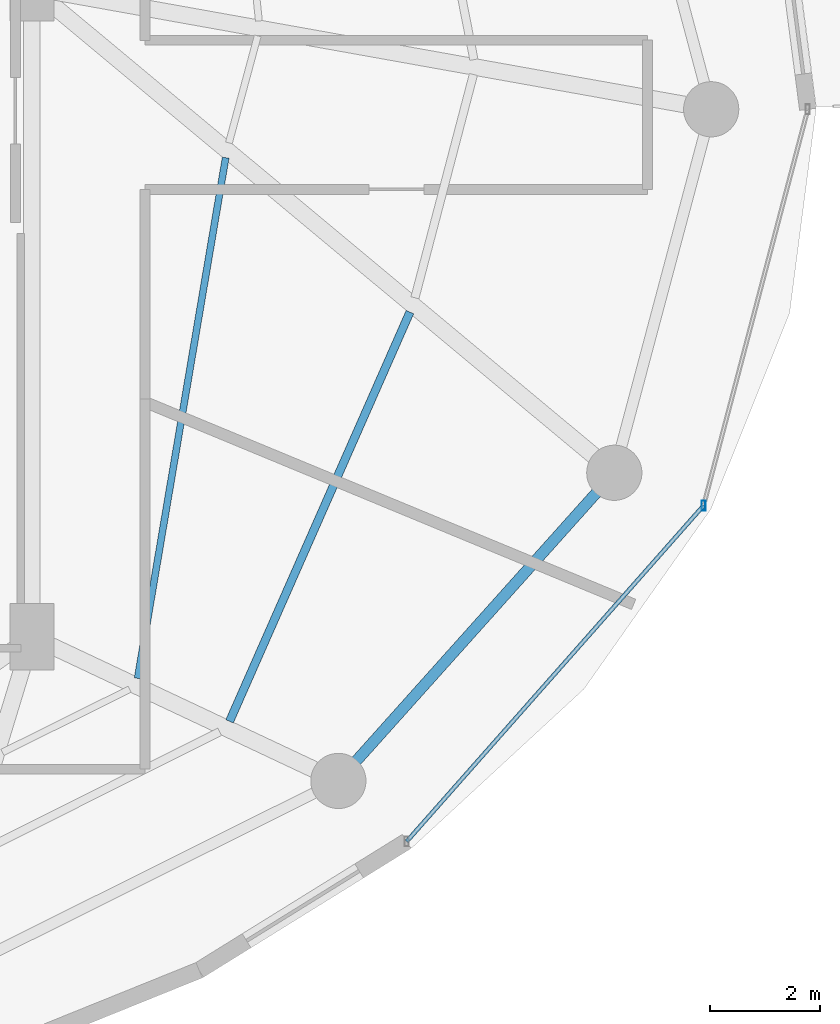
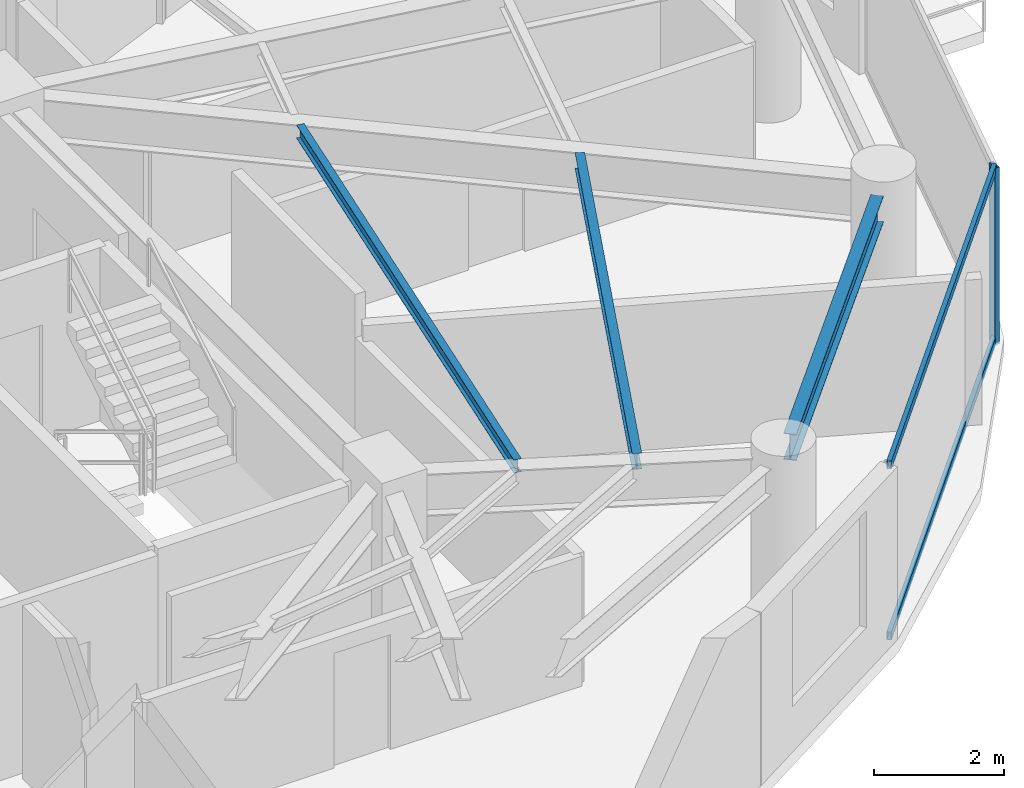
# One storey, part 11 of 28: 3 beams, 3 members, 1 element without a shape of its own.
"""IFC4 building model written with IfcOpenShell, lengths in metres."""

import ifcopenshell
import ifcopenshell.guid

model = None  # the IFC model being written
_history = None  # IfcOwnerHistory: only IFC2X3 demands one
_inside = {}  # id of a spatial element -> (the spatial element, [elements in it])
_under = {}  # id of a project, library or spatial element -> (it, [spatial elements below it])
_declared = {}  # id of a project -> (the project, [libraries it declares])
_typed = {}  # id of a type object -> (the type object, [elements of that type])
_made_of = {}  # id of a material, layer set ... -> (it, [elements and type objects made of it])


def new_model(schema):
    """Start an empty IFC model of exactly this schema.

    Asked for "IFC4X3", IfcOpenShell would pick the latest addendum, in which some entities
    have other attributes; the version numbers below select the first issue.
    IFC2X3 requires an IfcOwnerHistory on every rooted entity: one is made here for all.
    """
    global model, _history
    if schema == "IFC4X3":
        model = ifcopenshell.file(schema_version=(4, 3, 0, 0))
    else:
        model = ifcopenshell.file(schema=schema)
    _inside.clear()
    _under.clear()
    _declared.clear()
    _typed.clear()
    _made_of.clear()
    _history = None
    if model.schema == "IFC2X3":
        org = make("IfcOrganization", Name="unknown")
        user = make(
            "IfcPersonAndOrganization",
            ThePerson=make("IfcPerson", FamilyName="unknown"),
            TheOrganization=org,
        )
        app = make(
            "IfcApplication",
            ApplicationDeveloper=org,
            Version="unknown",
            ApplicationFullName="unknown",
            ApplicationIdentifier="unknown",
        )
        _history = make(
            "IfcOwnerHistory",
            OwningUser=user,
            OwningApplication=app,
            ChangeAction="ADDED",
            CreationDate=0,
        )
    return model


def make(cls, **values):
    """One entity of the class cls with the attributes given. An attribute that is None is left unset."""
    return model.create_entity(
        cls, **{name: value for name, value in values.items() if value is not None}
    )


def rooted(cls, **values):
    """An entity with a GlobalId (a new one), such as an element, a storey or a relation."""
    return make(cls, GlobalId=ifcopenshell.guid.new(), OwnerHistory=_history, **values)


def si_unit(unit_type, name, prefix=None):
    """IfcSIUnit, for example si_unit("LENGTHUNIT", "METRE", prefix="MILLI")."""
    return make("IfcSIUnit", UnitType=unit_type, Prefix=prefix, Name=name)


def assignment(units):
    """IfcUnitAssignment: the units of a project."""
    return None if units is None else make("IfcUnitAssignment", Units=units)


def point(xyz):
    """IfcCartesianPoint."""
    return None if xyz is None else make("IfcCartesianPoint", Coordinates=xyz)


def direction(xyz):
    """IfcDirection."""
    return None if xyz is None else make("IfcDirection", DirectionRatios=xyz)


def frame(location, z_axis=None, x_axis=None):
    """IfcAxis2Placement3D, a coordinate frame: its origin and axes. An axis left out is left unset."""
    return make(
        "IfcAxis2Placement3D",
        Location=point(location),
        Axis=direction(z_axis),
        RefDirection=direction(x_axis),
    )


def frame_2d(location, x_axis=None):
    """IfcAxis2Placement2D, a coordinate frame in the plane: its origin and x axis."""
    return make(
        "IfcAxis2Placement2D", Location=point(location), RefDirection=direction(x_axis)
    )


def origin():
    """The frame at (0, 0, 0) with its axes left unset."""
    return frame((0.0, 0.0, 0.0))


def origin_2d():
    """The frame at (0, 0) in the plane with its x axis left unset."""
    return frame_2d((0.0, 0.0))


def place(relative_to, where):
    """IfcLocalPlacement: puts the frame where relative to a parent placement (None: the world)."""
    return make(
        "IfcLocalPlacement", PlacementRelTo=relative_to, RelativePlacement=where
    )


def context(
    kind, dimensions, precision=None, world=None, true_north=None, identifier=None
):
    """IfcGeometricRepresentationContext, for example the 3D "Model" context."""
    return make(
        "IfcGeometricRepresentationContext",
        ContextIdentifier=identifier,
        ContextType=kind,
        CoordinateSpaceDimension=dimensions,
        Precision=precision,
        WorldCoordinateSystem=world,
        TrueNorth=true_north,
    )


def subcontext(parent, identifier, kind, view, scale=None):
    """IfcGeometricRepresentationSubContext, for example "Body" below "Model"."""
    return make(
        "IfcGeometricRepresentationSubContext",
        ContextIdentifier=identifier,
        ContextType=kind,
        ParentContext=parent,
        TargetScale=scale,
        TargetView=view,
    )


def project(units=None, contexts=None):
    """IfcProject with its units and contexts."""
    return rooted(
        "IfcProject",
        Name="project",
        RepresentationContexts=contexts,
        UnitsInContext=assignment(units),
    )


def spatial(cls, under=None, at=None, **own):
    """A site, building, storey or space (cls), placed at a placement, below another one or the project."""
    s = rooted(cls, ObjectPlacement=at, **own)
    if under is not None:
        _under.setdefault(under.id(), (under, []))[1].append(s)
    return s


def profile(cls, at=None, kind="AREA", **sizes):
    """A parametric profile (cls). Its sizes go by their IFC names, for example OverallWidth=200.0."""
    return make(cls, ProfileType=kind, Position=at, **sizes)


def hollow_rectangle(**sizes):
    """IfcRectangleHollowProfileDef."""
    return profile("IfcRectangleHollowProfileDef", **sizes)


def i_section(**sizes):
    """IfcIShapeProfileDef."""
    return profile("IfcIShapeProfileDef", **sizes)


def extrude(swept, where, along, depth):
    """IfcExtrudedAreaSolid: the profile swept, set in the frame where, extruded along a direction by depth."""
    return make(
        "IfcExtrudedAreaSolid",
        SweptArea=swept,
        Position=where,
        ExtrudedDirection=direction(along),
        Depth=depth,
    )


def shape(context_of_items, identifier, shape_type, items):
    """IfcShapeRepresentation: the items that make up one representation, for example the "Body"."""
    return make(
        "IfcShapeRepresentation",
        ContextOfItems=context_of_items,
        RepresentationIdentifier=identifier,
        RepresentationType=shape_type,
        Items=items,
    )


def material(Name=None, Category=None):
    """IfcMaterial."""
    return make("IfcMaterial", Name=Name, Category=Category)


def material_profile(
    of_material, cross_section, Name=None, Category=None, Priority=None
):
    """IfcMaterialProfile: a cross section and its material."""
    return make(
        "IfcMaterialProfile",
        Name=Name,
        Material=of_material,
        Profile=cross_section,
        Priority=Priority,
        Category=Category,
    )


def profile_set(profiles, Name=None, composite=None):
    """IfcMaterialProfileSet."""
    return make(
        "IfcMaterialProfileSet",
        Name=Name,
        MaterialProfiles=profiles,
        CompositeProfile=composite,
    )


def made_of(thing, what):
    """Note that an element or type object is made of a material, layer set ...; save() writes the relation."""
    if what is not None:
        _made_of.setdefault(what.id(), (what, []))[1].append(thing)
    return thing


def type_object(cls, material=None, **own):
    """A type object (cls), such as IfcWallType, which elements share."""
    return made_of(rooted(cls, **own), material)


def element(
    cls,
    number,
    at=None,
    inside=None,
    cuts=None,
    type_object=None,
    material=None,
    context=None,
    identifier="Body",
    shape_type=None,
    held_by="IfcProductDefinitionShape",
    body=None,
    shapes=None,
    **own,
):
    """One element of the class cls, such as IfcWall. Its Tag is "e" and its number.

    at: its placement. inside: the storey or other place that contains it. cuts: it is an
    opening in that element (IfcRelVoidsElement). A single representation is given by context,
    identifier, shape_type and body (its items); several are given by shapes. held_by: the class
    of the entity that holds the representations. save() writes the other relations.
    """
    e = rooted(cls, Tag="e%d" % number, ObjectPlacement=at, **own)
    if body is not None:
        shapes = [shape(context, identifier, shape_type, body)]
    if shapes is not None:
        e.Representation = make(held_by, Representations=shapes)
    if inside is not None:
        _inside.setdefault(inside.id(), (inside, []))[1].append(e)
    if cuts is not None:
        rooted(
            "IfcRelVoidsElement", RelatingBuildingElement=cuts, RelatedOpeningElement=e
        )
    if type_object is not None:
        _typed.setdefault(type_object.id(), (type_object, []))[1].append(e)
    return made_of(e, material)


def aggregate(whole, parts):
    """IfcRelAggregates: a whole, such as a stair, and the parts it consists of."""
    return rooted("IfcRelAggregates", RelatingObject=whole, RelatedObjects=parts)


def save(model, path):
    """Write the relations noted so far, then the file.

    IfcRelAggregates (storeys below a building ...), IfcRelContainedInSpatialStructure (elements
    in a storey), IfcRelDefinesByType, IfcRelAssociatesMaterial and IfcRelDeclares: one each for
    every whole, place, type object, material and project.
    """
    for whole, parts in _under.values():
        aggregate(whole, parts)
    for where, things in _inside.values():
        rooted(
            "IfcRelContainedInSpatialStructure",
            RelatedElements=things,
            RelatingStructure=where,
        )
    for kind, things in _typed.values():
        rooted("IfcRelDefinesByType", RelatedObjects=things, RelatingType=kind)
    for what, things in _made_of.values():
        rooted("IfcRelAssociatesMaterial", RelatedObjects=things, RelatingMaterial=what)
    for by, libraries in _declared.values():
        rooted("IfcRelDeclares", RelatingContext=by, RelatedDefinitions=libraries)
    model.write(path)


model = new_model("IFC4")

# Units and contexts
model_context = context("Model", 3, precision=1e-05, world=origin(), true_north=direction((0.0, 1.0)))
body_context = subcontext(model_context, "Body", "Model", "MODEL_VIEW")
ifc_project = project(units=[si_unit("LENGTHUNIT", "METRE"), si_unit("AREAUNIT", "SQUARE_METRE"), si_unit("VOLUMEUNIT", "CUBIC_METRE"), si_unit("PLANEANGLEUNIT", "RADIAN"), si_unit("MASSUNIT", "GRAM", prefix="KILO")], contexts=[model_context])

# Site, building, storey
site_placement = place(None, origin())
site = spatial("IfcSite", under=ifc_project, at=site_placement, CompositionType="ELEMENT")
building_placement = place(site_placement, origin())
building = spatial("IfcBuilding", under=site, at=building_placement, Name="Vorneva Point Tower", CompositionType="ELEMENT")
storey_placement = place(building_placement, frame((0.0, 0.0, 143.10009765625)))
storey = spatial("IfcBuildingStorey", under=building, at=storey_placement, Name="L38", CompositionType="ELEMENT", Elevation=143.10009765625)

# Beams
ifc_material_1 = material(Name="Steel S355", Category="steel")
ifc_material_profile_1 = material_profile(ifc_material_1, i_section(OverallWidth=0.1240234375, OverallDepth=0.248046875, WebThickness=0.0048828125, FlangeThickness=0.008056640625, at=origin_2d()), Name="25B1")
ifc_profile_set_1 = profile_set([ifc_material_profile_1], Name="Steel S355")
beam_type_1 = type_object("IfcBeamType", Name="BM-JST-25B1", PredefinedType="JOIST", material=ifc_profile_set_1)
beam_1_placement = place(storey_placement, frame((50.66455078125, 15.695556640625, 3.115966796875), z_axis=(0.166688356069, 0.98600963076, 0.0), x_axis=(-0.98600963076, 0.166688356069, 0.0)))
element("IfcBeam", 1, at=beam_1_placement, inside=storey, type_object=beam_type_1, Name="L38 Secondary Floor Beam 2.15", PredefinedType="JOIST", context=body_context, shape_type="SweptSolid", body=[
    extrude(i_section(OverallWidth=0.1240234375, OverallDepth=0.248046875, WebThickness=0.0048828125, FlangeThickness=0.008056640625, at=origin_2d()), origin(), (0.0, 0.0, 1.0), 9.561279296875),
])
ifc_material_profile_2 = material_profile(ifc_material_1, i_section(OverallWidth=0.14892578125, OverallDepth=0.298095703125, WebThickness=0.005615234375, FlangeThickness=0.008056640625, at=origin_2d()), Name="30B1")
ifc_profile_set_2 = profile_set([ifc_material_profile_2], Name="Steel S355")
beam_type_2 = type_object("IfcBeamType", Name="BM-JST-30B1", PredefinedType="JOIST", material=ifc_profile_set_2)
beam_2_placement = place(storey_placement, frame((52.3291015625, 14.91748046875, 3.0908203125), z_axis=(0.403294264682, 0.915070344878, 0.0), x_axis=(-0.915070344878, 0.403294264682, 0.0)))
element("IfcBeam", 2, at=beam_2_placement, inside=storey, type_object=beam_type_2, Name="L38 Secondary Floor Beam 1.15", PredefinedType="JOIST", context=body_context, shape_type="SweptSolid", body=[
    extrude(i_section(OverallWidth=0.14892578125, OverallDepth=0.298095703125, WebThickness=0.005615234375, FlangeThickness=0.008056640625, at=origin_2d()), origin(), (0.0, 0.0, 1.0), 8.097412109375),
])
ifc_material_profile_3 = material_profile(ifc_material_1, i_section(OverallWidth=0.199951171875, OverallDepth=0.491943359375, WebThickness=0.0087890625, FlangeThickness=0.011962890625, at=origin_2d()), Name="50B1")
ifc_profile_set_3 = profile_set([ifc_material_profile_3], Name="Steel S355")
beam_type_3 = type_object("IfcBeamType", Name="BM-SPN-50B1", PredefinedType="SPANDREL", material=ifc_profile_set_3)
beam_3_placement = place(storey_placement, frame((54.622314453125, 14.19921875, 2.993896484375), z_axis=(0.667111118975, 0.74495822362, 0.0), x_axis=(-0.74495822362, 0.667111118975, 0.0)))
element("IfcBeam", 3, at=beam_3_placement, inside=storey, type_object=beam_type_3, Name="L38 Perimeter Spandrel Ring Beam 15", PredefinedType="SPANDREL", context=body_context, shape_type="SweptSolid", body=[
    extrude(i_section(OverallWidth=0.199951171875, OverallDepth=0.491943359375, WebThickness=0.0087890625, FlangeThickness=0.011962890625, at=origin_2d()), origin(), (0.0, 0.0, 1.0), 6.52001953125),
])

# Curtain wall, members
ifc_material_2 = material(Name="Pale anodised aluminium", Category="aluminium")
curtain_wall_type = type_object("IfcCurtainWallType", Name="CW-RES-SYS", PredefinedType="NOTDEFINED", material=ifc_material_2)
curtain_wall_placement = place(storey_placement, origin())
curtain_wall = element("IfcCurtainWall", 4, at=curtain_wall_placement, inside=storey, type_object=curtain_wall_type, Name="L38 Unitised Curtain Wall CW-L38-R04", PredefinedType="NOTDEFINED")
ifc_material_profile_4 = material_profile(ifc_material_2, hollow_rectangle(XDim=0.074951171875, YDim=0.179931640625, WallThickness=0.00390625, at=origin_2d()), Name="AL-MUL 180x75x4")
ifc_profile_set_4 = profile_set([ifc_material_profile_4], Name="Pale anodised aluminium")
member_type_1 = type_object("IfcMemberType", Name="CW-MUL-180", PredefinedType="MULLION", material=ifc_profile_set_4)
member_1_placement = place(storey_placement, frame((60.912109375, 18.82470703125, -0.0400390625), z_axis=(0.0, 0.0, 1.0), x_axis=(1.0, 0.0, 0.0)))
member_1 = element("IfcMember", 5, at=member_1_placement, type_object=member_type_1, Name="CW-L38-R04 Mullion 02", PredefinedType="MULLION", context=body_context, shape_type="SweptSolid", body=[
    extrude(hollow_rectangle(XDim=0.074951171875, YDim=0.179931640625, WallThickness=0.00390625, at=origin_2d()), origin(), (0.0, 0.0, 1.0), 3.31005859375),
])
ifc_material_profile_5 = material_profile(ifc_material_2, hollow_rectangle(XDim=0.074951171875, YDim=0.14990234375, WallThickness=0.00390625, at=origin_2d()), Name="AL-TRN 150x75x4")
ifc_profile_set_5 = profile_set([ifc_material_profile_5], Name="Pale anodised aluminium")
member_type_2 = type_object("IfcMemberType", Name="CW-TRN-150", PredefinedType="USERDEFINED", material=ifc_profile_set_5)
member_2_placement = place(storey_placement, frame((55.5361328125, 12.74169921875, 0.02001953125), z_axis=(0.662218216609, 0.749311039283, 0.0), x_axis=(-0.749311039283, 0.662218216609, 0.0)))
member_2 = element("IfcMember", 6, at=member_2_placement, type_object=member_type_2, Name="CW-L38-R04 Transom 01.1", ObjectType="TRANSOM", PredefinedType="USERDEFINED", context=body_context, shape_type="SweptSolid", body=[
    extrude(hollow_rectangle(XDim=0.074951171875, YDim=0.14990234375, WallThickness=0.00390625, at=origin_2d()), origin(), (0.0, 0.0, 1.0), 8.1181640625),
])
member_3_placement = place(storey_placement, frame((55.5361328125, 12.74169921875, 3.219970703125), z_axis=(0.662218216609, 0.749311039283, 0.0), x_axis=(-0.749311039283, 0.662218216609, 0.0)))
member_3 = element("IfcMember", 7, at=member_3_placement, type_object=member_type_2, Name="CW-L38-R04 Transom 01.2", ObjectType="TRANSOM", PredefinedType="USERDEFINED", context=body_context, shape_type="SweptSolid", body=[
    extrude(hollow_rectangle(XDim=0.074951171875, YDim=0.14990234375, WallThickness=0.00390625, at=origin_2d()), origin(), (0.0, 0.0, 1.0), 8.1181640625),
])
aggregate(curtain_wall, [member_1, member_2, member_3])

save(model, "model.ifc")
